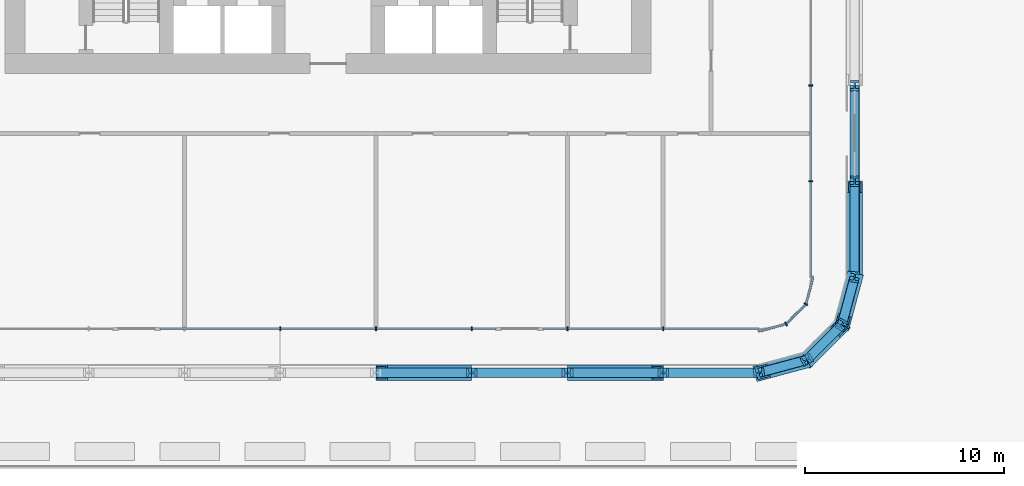
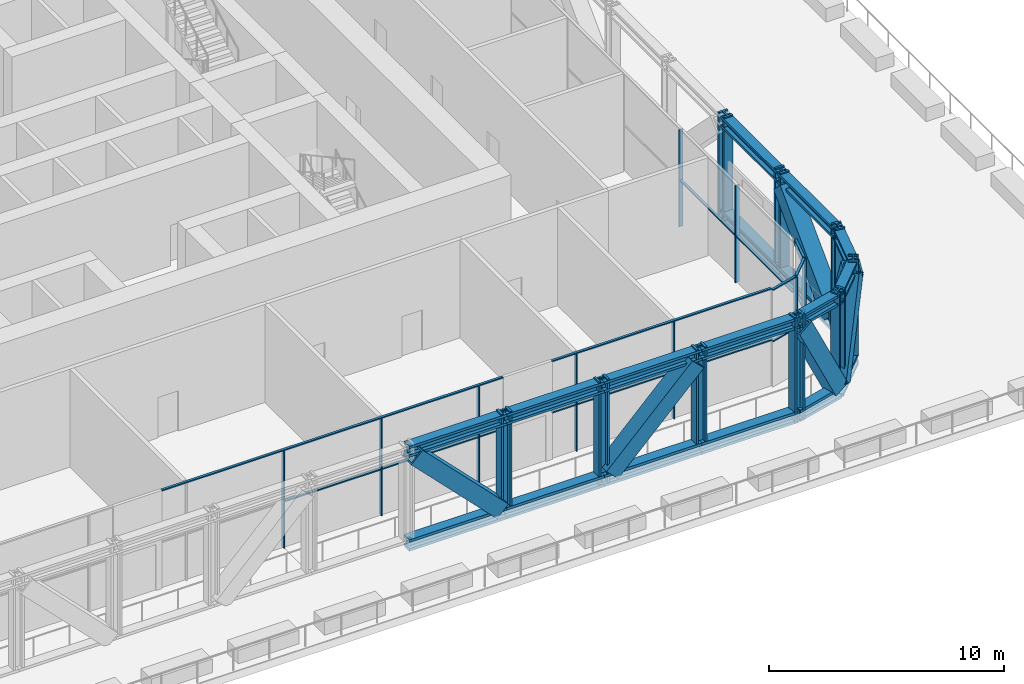
# One storey, part 4 of 22: 58 members, 3 elements without a shape of their own.
"""IFC4 building model written with IfcOpenShell, lengths in metres."""

from ifc_helpers import new_model, si_unit, direction, frame, origin, origin_2d, place, context, subcontext, project, spatial, rectangle, hollow_rectangle, i_section, extrude, material, layer, layer_set, material_profile, profile_set, type_object, element, aggregate, save


model = new_model("IFC4")

# Units and contexts
model_context = context("Model", 3, precision=1e-05, world=origin(), true_north=direction((0.0, 1.0)))
body_context = subcontext(model_context, "Body", "Model", "MODEL_VIEW")
ifc_project = project(units=[si_unit("LENGTHUNIT", "METRE"), si_unit("AREAUNIT", "SQUARE_METRE"), si_unit("VOLUMEUNIT", "CUBIC_METRE"), si_unit("PLANEANGLEUNIT", "RADIAN"), si_unit("MASSUNIT", "GRAM", prefix="KILO")], contexts=[model_context])

# Site, building, storey
site_placement = place(None, origin())
site = spatial("IfcSite", under=ifc_project, at=site_placement, CompositionType="ELEMENT")
building_placement = place(site_placement, origin())
building = spatial("IfcBuilding", under=site, at=building_placement, Name="Madar Terraces", CompositionType="ELEMENT")
storey_placement = place(building_placement, frame((0.0, 0.0, 24.0)))
storey = spatial("IfcBuildingStorey", under=building, at=storey_placement, Name="L05", CompositionType="ELEMENT", Elevation=24.0)

# Members
ifc_material_1 = material(Name="Steel ASTM A913 Grade 65", Category="steel")
ifc_material_profile_1 = material_profile(ifc_material_1, i_section(OverallWidth=0.4775390625, OverallDepth=0.599365234375, WebThickness=0.10009765625, FlangeThickness=0.139892578125, at=origin_2d()), Name="W14x873")
ifc_profile_set_1 = profile_set([ifc_material_profile_1], Name="Steel ASTM A913 Grade 65")
member_type_1 = type_object("IfcMemberType", Name="BC1 W14x873", PredefinedType="CHORD", material=ifc_profile_set_1)
member_1_placement = place(storey_placement, frame((33.60009765625, 0.0, -0.120361328125), z_axis=(1.0, 0.0, 0.0), x_axis=(0.0, 1.0, 0.0)))
element("IfcMember", 1, at=member_1_placement, inside=storey, type_object=member_type_1, Name="Exoskeleton truss ring bottom chord BC1", PredefinedType="CHORD", context=body_context, shape_type="SweptSolid", body=[
    extrude(i_section(OverallWidth=0.4775390625, OverallDepth=0.599365234375, WebThickness=0.10009765625, FlangeThickness=0.139892578125, at=origin_2d()), origin(), (0.0, 0.0, 1.0), 4.7998046875),
])
for number, where, z_axis, x_axis, name in (
    (2, (38.39990234375, 0.0, -0.120361328125), (1.0, 0.0, 0.0), (0.0, 1.0, 0.0), "Exoskeleton truss ring bottom chord BC1"),
    (3, (43.199951171875, 0.0, -0.120361328125), (1.0, 0.0, 0.0), (0.0, 1.0, 0.0), "Exoskeleton truss ring bottom chord BC1"),
    (4, (48.0, 0.0, -0.120361328125), (1.0, 0.0, 0.0), (0.0, 1.0, 0.0), "Exoskeleton truss ring bottom chord BC1"),
):
    element("IfcMember", number, at=place(storey_placement, frame(where, z_axis=z_axis, x_axis=x_axis)), inside=storey, type_object=member_type_1, Name=name, PredefinedType="CHORD", context=body_context, shape_type="SweptSolid", body=[
        extrude(i_section(OverallWidth=0.4775390625, OverallDepth=0.599365234375, WebThickness=0.10009765625, FlangeThickness=0.139892578125, at=origin_2d()), origin(), (0.0, 0.0, 1.0), 4.800048828125),
    ])
for number, where, z_axis, x_axis, name in (
    (5, (52.800048828125, 0.0, -0.120361328125), (0.965924366126, 0.258824494443, 0.0), (-0.258824494443, 0.965924366126, 0.0), "Exoskeleton truss ring bottom chord BC1"),
    (6, (55.199951171875, 0.64306640625, -0.120361328125), (0.707155907999, 0.70705765096, 0.0), (-0.70705765096, 0.707155907999, 0.0), "Exoskeleton truss ring bottom chord BC1"),
):
    element("IfcMember", number, at=place(storey_placement, frame(where, z_axis=z_axis, x_axis=x_axis)), inside=storey, type_object=member_type_1, Name=name, PredefinedType="CHORD", context=body_context, shape_type="SweptSolid", body=[
        extrude(i_section(OverallWidth=0.4775390625, OverallDepth=0.599365234375, WebThickness=0.10009765625, FlangeThickness=0.139892578125, at=origin_2d()), origin(), (0.0, 0.0, 1.0), 2.484619140625),
    ])
member_2_placement = place(storey_placement, frame((56.95703125, 2.39990234375, -0.120361328125), z_axis=(0.258799930484, 0.965930947833, 0.0), x_axis=(-0.965930947833, 0.258799930484, 0.0)))
element("IfcMember", 7, at=member_2_placement, inside=storey, type_object=member_type_1, Name="Exoskeleton truss ring bottom chord BC1", PredefinedType="CHORD", context=body_context, shape_type="SweptSolid", body=[
    extrude(i_section(OverallWidth=0.4775390625, OverallDepth=0.599365234375, WebThickness=0.10009765625, FlangeThickness=0.139892578125, at=origin_2d()), origin(), (0.0, 0.0, 1.0), 2.48486328125),
])
member_3_placement = place(storey_placement, frame((57.60009765625, 4.800048828125, -0.120361328125), z_axis=(0.0, 1.0, 0.0), x_axis=(-1.0, 0.0, 0.0)))
element("IfcMember", 8, at=member_3_placement, inside=storey, type_object=member_type_1, Name="Exoskeleton truss ring bottom chord BC1", PredefinedType="CHORD", context=body_context, shape_type="SweptSolid", body=[
    extrude(i_section(OverallWidth=0.4775390625, OverallDepth=0.599365234375, WebThickness=0.10009765625, FlangeThickness=0.139892578125, at=origin_2d()), origin(), (0.0, 0.0, 1.0), 4.800048828125),
])
member_4_placement = place(storey_placement, frame((57.60009765625, 9.60009765625, -0.120361328125), z_axis=(0.0, 1.0, 0.0), x_axis=(-1.0, 0.0, 0.0)))
element("IfcMember", 9, at=member_4_placement, inside=storey, type_object=member_type_1, Name="Exoskeleton truss ring bottom chord BC1", PredefinedType="CHORD", context=body_context, shape_type="SweptSolid", body=[
    extrude(i_section(OverallWidth=0.4775390625, OverallDepth=0.599365234375, WebThickness=0.10009765625, FlangeThickness=0.139892578125, at=origin_2d()), origin(), (0.0, 0.0, 1.0), 4.7998046875),
])

# Curtain wall, members
ifc_material_2 = material(Name="Glass, ceramic frit dark grey, with black aluminium frame", Category="aluminium")
ifc_layer = layer(ifc_material_2, 0.199951171875)
ifc_layer_set = layer_set([ifc_layer], Name="Facade curtain wall, tall glazing")
curtain_wall_type = type_object("IfcCurtainWallType", Name="Facade curtain wall, tall glazing", PredefinedType="NOTDEFINED", material=ifc_layer_set)
curtain_wall_1_placement = place(storey_placement, origin())
curtain_wall_1 = element("IfcCurtainWall", 10, at=curtain_wall_1_placement, inside=storey, type_object=curtain_wall_type, Name="Outer skin curtain wall south bay 1", PredefinedType="NOTDEFINED")
ifc_material_3 = material(Name="Aluminium, black anodised", Category="aluminium")
ifc_material_profile_2 = material_profile(ifc_material_3, rectangle(XDim=0.199951171875, YDim=0.06005859375, at=origin_2d()), Name="Facade mullion 60x200")
ifc_profile_set_2 = profile_set([ifc_material_profile_2], Name="Aluminium, black anodised")
member_type_2 = type_object("IfcMemberType", Name="Facade mullion 60x200", PredefinedType="MULLION", material=ifc_profile_set_2)
member_5_placement = place(storey_placement, frame((28.800048828125, 2.199951171875, 0.0), z_axis=(0.0, 0.0, 1.0), x_axis=(0.0, 1.0, 0.0)))
member_5 = element("IfcMember", 11, at=member_5_placement, type_object=member_type_2, Name="Mullion 5", PredefinedType="MULLION", context=body_context, shape_type="SweptSolid", body=[
    extrude(rectangle(XDim=0.199951171875, YDim=0.06005859375, at=origin_2d()), origin(), (0.0, 0.0, 1.0), 5.0400390625),
])
member_6_placement = place(storey_placement, frame((33.60009765625, 2.199951171875, 0.0), z_axis=(0.0, 0.0, 1.0), x_axis=(0.0, 1.0, 0.0)))
member_6 = element("IfcMember", 12, at=member_6_placement, type_object=member_type_2, Name="Mullion 6", PredefinedType="MULLION", context=body_context, shape_type="SweptSolid", body=[
    extrude(rectangle(XDim=0.199951171875, YDim=0.06005859375, at=origin_2d()), origin(), (0.0, 0.0, 1.0), 5.0400390625),
])
member_7_placement = place(storey_placement, frame((38.39990234375, 2.199951171875, 0.0), z_axis=(0.0, 0.0, 1.0), x_axis=(0.0, 1.0, 0.0)))
member_7 = element("IfcMember", 13, at=member_7_placement, type_object=member_type_2, Name="Mullion 7", PredefinedType="MULLION", context=body_context, shape_type="SweptSolid", body=[
    extrude(rectangle(XDim=0.199951171875, YDim=0.06005859375, at=origin_2d()), origin(), (0.0, 0.0, 1.0), 5.0400390625),
])
member_8_placement = place(storey_placement, frame((43.199951171875, 2.199951171875, 0.0), z_axis=(0.0, 0.0, 1.0), x_axis=(0.0, 1.0, 0.0)))
member_8 = element("IfcMember", 14, at=member_8_placement, type_object=member_type_2, Name="Mullion 8", PredefinedType="MULLION", context=body_context, shape_type="SweptSolid", body=[
    extrude(rectangle(XDim=0.199951171875, YDim=0.06005859375, at=origin_2d()), origin(), (0.0, 0.0, 1.0), 5.0400390625),
])
member_9_placement = place(storey_placement, frame((48.0, 2.199951171875, 0.0), z_axis=(0.0, 0.0, 1.0), x_axis=(0.0, 1.0, 0.0)))
member_9 = element("IfcMember", 15, at=member_9_placement, type_object=member_type_2, Name="Mullion 9", PredefinedType="MULLION", context=body_context, shape_type="SweptSolid", body=[
    extrude(rectangle(XDim=0.199951171875, YDim=0.06005859375, at=origin_2d()), origin(), (0.0, 0.0, 1.0), 5.0400390625),
])

curtain_wall_2_placement = place(storey_placement, origin())
curtain_wall_2 = element("IfcCurtainWall", 16, at=curtain_wall_2_placement, inside=storey, type_object=curtain_wall_type, Name="Outer skin curtain wall east bay 1", PredefinedType="NOTDEFINED")
member_10_placement = place(storey_placement, frame((55.39990234375, 9.60009765625, 0.0), z_axis=(0.0, 0.0, 1.0), x_axis=(-1.0, 0.0, 0.0)))
member_10 = element("IfcMember", 17, at=member_10_placement, type_object=member_type_2, Name="Mullion 1", PredefinedType="MULLION", context=body_context, shape_type="SweptSolid", body=[
    extrude(rectangle(XDim=0.199951171875, YDim=0.06005859375, at=origin_2d()), origin(), (0.0, 0.0, 1.0), 5.0400390625),
])
member_11_placement = place(storey_placement, frame((55.39990234375, 14.39990234375, 0.0), z_axis=(0.0, 0.0, 1.0), x_axis=(-1.0, 0.0, 0.0)))
member_11 = element("IfcMember", 18, at=member_11_placement, type_object=member_type_2, Name="Mullion 2", PredefinedType="MULLION", context=body_context, shape_type="SweptSolid", body=[
    extrude(rectangle(XDim=0.199951171875, YDim=0.06005859375, at=origin_2d()), origin(), (0.0, 0.0, 1.0), 5.0400390625),
])

curtain_wall_3_placement = place(storey_placement, origin())
curtain_wall_3 = element("IfcCurtainWall", 19, at=curtain_wall_3_placement, inside=storey, type_object=curtain_wall_type, Name="Outer skin curtain wall south-east corner", PredefinedType="NOTDEFINED")
member_12_placement = place(storey_placement, frame((54.159912109375, 2.4443359375, 0.0), z_axis=(0.0, 0.0, 1.0), x_axis=(-0.500000029202, 0.866025386925, 0.0)))
member_12 = element("IfcMember", 20, at=member_12_placement, type_object=member_type_2, Name="Mullion 1", PredefinedType="MULLION", context=body_context, shape_type="SweptSolid", body=[
    extrude(rectangle(XDim=0.199951171875, YDim=0.06005859375, at=origin_2d()), origin(), (0.0, 0.0, 1.0), 5.0400390625),
])
member_13_placement = place(storey_placement, frame((55.155517578125, 3.43994140625, 0.0), z_axis=(0.0, 0.0, 1.0), x_axis=(-0.866025386925, 0.500000029202, 0.0)))
member_13 = element("IfcMember", 21, at=member_13_placement, type_object=member_type_2, Name="Mullion 2", PredefinedType="MULLION", context=body_context, shape_type="SweptSolid", body=[
    extrude(rectangle(XDim=0.199951171875, YDim=0.06005859375, at=origin_2d()), origin(), (0.0, 0.0, 1.0), 5.0400390625),
])

# Member
ifc_material_4 = material(Name="Aluminium, black anodised", Category="aluminium")
ifc_material_profile_3 = material_profile(ifc_material_4, rectangle(XDim=0.1201171875, YDim=0.06005859375, at=origin_2d()), Name="Facade transom 60x120")
ifc_profile_set_3 = profile_set([ifc_material_profile_3], Name="Aluminium, black anodised")
member_type_3 = type_object("IfcMemberType", Name="Facade transom 60x120", PredefinedType="USERDEFINED", material=ifc_profile_set_3)
member_14_placement = place(storey_placement, frame((22.800048828125, 2.199951171875, 5.070068359375), z_axis=(1.0, 0.0, 0.0), x_axis=(0.0, 1.0, 0.0)))
member_14 = element("IfcMember", 22, at=member_14_placement, type_object=member_type_3, Name="Transom 6", ObjectType="TRANSOM", PredefinedType="USERDEFINED", context=body_context, shape_type="SweptSolid", body=[
    extrude(rectangle(XDim=0.1201171875, YDim=0.06005859375, at=origin_2d()), origin(), (0.0, 0.0, 1.0), 16.800048828125),
])

member_15_placement = place(storey_placement, frame((28.830078125, 2.199951171875, 2.39990234375), z_axis=(1.0, 0.0, 0.0), x_axis=(0.0, 1.0, 0.0)))
member_15 = element("IfcMember", 23, at=member_15_placement, type_object=member_type_3, Name="Transom 9", ObjectType="TRANSOM", PredefinedType="USERDEFINED", context=body_context, shape_type="SweptSolid", body=[
    extrude(rectangle(XDim=0.1201171875, YDim=0.06005859375, at=origin_2d()), origin(), (0.0, 0.0, 1.0), 4.739990234375),
])

member_16_placement = place(storey_placement, frame((33.6298828125, 2.199951171875, 2.39990234375), z_axis=(1.0, 0.0, 0.0), x_axis=(0.0, 1.0, 0.0)))
member_16 = element("IfcMember", 24, at=member_16_placement, type_object=member_type_3, Name="Transom 10", ObjectType="TRANSOM", PredefinedType="USERDEFINED", context=body_context, shape_type="SweptSolid", body=[
    extrude(rectangle(XDim=0.1201171875, YDim=0.06005859375, at=origin_2d()), origin(), (0.0, 0.0, 1.0), 4.740234375),
])

member_17_placement = place(storey_placement, frame((38.429931640625, 2.199951171875, 2.39990234375), z_axis=(1.0, 0.0, 0.0), x_axis=(0.0, 1.0, 0.0)))
member_17 = element("IfcMember", 25, at=member_17_placement, type_object=member_type_3, Name="Transom 11", ObjectType="TRANSOM", PredefinedType="USERDEFINED", context=body_context, shape_type="SweptSolid", body=[
    extrude(rectangle(XDim=0.1201171875, YDim=0.06005859375, at=origin_2d()), origin(), (0.0, 0.0, 1.0), 1.170166015625),
])

member_18_placement = place(storey_placement, frame((42.0, 2.199951171875, 5.070068359375), z_axis=(1.0, 0.0, 0.0), x_axis=(0.0, 1.0, 0.0)))
member_18 = element("IfcMember", 26, at=member_18_placement, type_object=member_type_3, Name="Transom 12", ObjectType="TRANSOM", PredefinedType="USERDEFINED", context=body_context, shape_type="SweptSolid", body=[
    extrude(rectangle(XDim=0.1201171875, YDim=0.06005859375, at=origin_2d()), origin(), (0.0, 0.0, 1.0), 10.800048828125),
])

member_19_placement = place(storey_placement, frame((42.0, 2.199951171875, 2.39990234375), z_axis=(1.0, 0.0, 0.0), x_axis=(0.0, 1.0, 0.0)))
member_19 = element("IfcMember", 27, at=member_19_placement, type_object=member_type_3, Name="Transom 13", ObjectType="TRANSOM", PredefinedType="USERDEFINED", context=body_context, shape_type="SweptSolid", body=[
    extrude(rectangle(XDim=0.1201171875, YDim=0.06005859375, at=origin_2d()), origin(), (0.0, 0.0, 1.0), 1.169921875),
])

member_20_placement = place(storey_placement, frame((43.22998046875, 2.199951171875, 2.39990234375), z_axis=(1.0, 0.0, 0.0), x_axis=(0.0, 1.0, 0.0)))
member_20 = element("IfcMember", 28, at=member_20_placement, type_object=member_type_3, Name="Transom 14", ObjectType="TRANSOM", PredefinedType="USERDEFINED", context=body_context, shape_type="SweptSolid", body=[
    extrude(rectangle(XDim=0.1201171875, YDim=0.06005859375, at=origin_2d()), origin(), (0.0, 0.0, 1.0), 4.739990234375),
])

member_21_placement = place(storey_placement, frame((48.030029296875, 2.199951171875, 2.39990234375), z_axis=(1.0, 0.0, 0.0), x_axis=(0.0, 1.0, 0.0)))
member_21 = element("IfcMember", 29, at=member_21_placement, type_object=member_type_3, Name="Transom 15", ObjectType="TRANSOM", PredefinedType="USERDEFINED", context=body_context, shape_type="SweptSolid", body=[
    extrude(rectangle(XDim=0.1201171875, YDim=0.06005859375, at=origin_2d()), origin(), (0.0, 0.0, 1.0), 4.77001953125),
])

aggregate(curtain_wall_1, [member_5, member_6, member_7, member_14, member_15, member_16, member_17, member_8, member_9, member_18, member_19, member_20, member_21])

member_22_placement = place(storey_placement, frame((55.39990234375, 4.800048828125, 2.39990234375), z_axis=(0.0, 1.0, 0.0), x_axis=(-1.0, 0.0, 0.0)))
member_22 = element("IfcMember", 30, at=member_22_placement, type_object=member_type_3, Name="Transom 2", ObjectType="TRANSOM", PredefinedType="USERDEFINED", context=body_context, shape_type="SweptSolid", body=[
    extrude(rectangle(XDim=0.1201171875, YDim=0.06005859375, at=origin_2d()), origin(), (0.0, 0.0, 1.0), 4.77001953125),
])

member_23_placement = place(storey_placement, frame((55.39990234375, 9.6298828125, 2.39990234375), z_axis=(0.0, 1.0, 0.0), x_axis=(-1.0, 0.0, 0.0)))
member_23 = element("IfcMember", 31, at=member_23_placement, type_object=member_type_3, Name="Transom 3", ObjectType="TRANSOM", PredefinedType="USERDEFINED", context=body_context, shape_type="SweptSolid", body=[
    extrude(rectangle(XDim=0.1201171875, YDim=0.06005859375, at=origin_2d()), origin(), (0.0, 0.0, 1.0), 4.740234375),
])

aggregate(curtain_wall_2, [member_10, member_11, member_22, member_23])

member_24_placement = place(storey_placement, frame((52.800048828125, 2.080078125, 5.070068359375), z_axis=(0.965919580711, 0.258842352791, 0.0), x_axis=(-0.258842352791, 0.965919580711, 0.0)))
member_24 = element("IfcMember", 32, at=member_24_placement, type_object=member_type_3, Name="Transom 1", ObjectType="TRANSOM", PredefinedType="USERDEFINED", context=body_context, shape_type="SweptSolid", body=[
    extrude(rectangle(XDim=0.1201171875, YDim=0.06005859375, at=origin_2d()), origin(), (0.0, 0.0, 1.0), 1.3779296875),
])

member_25_placement = place(storey_placement, frame((52.800048828125, 2.080078125, 2.39990234375), z_axis=(0.965919580711, 0.258842352791, 0.0), x_axis=(-0.258842352791, 0.965919580711, 0.0)))
member_25 = element("IfcMember", 33, at=member_25_placement, type_object=member_type_3, Name="Transom 2", ObjectType="TRANSOM", PredefinedType="USERDEFINED", context=body_context, shape_type="SweptSolid", body=[
    extrude(rectangle(XDim=0.1201171875, YDim=0.06005859375, at=origin_2d()), origin(), (0.0, 0.0, 1.0), 1.3779296875),
])

member_26_placement = place(storey_placement, frame((54.18115234375, 2.465576171875, 5.070068359375), z_axis=(0.707106781187, 0.707106781187, 0.0), x_axis=(-0.707106781187, 0.707106781187, 0.0)))
member_26 = element("IfcMember", 34, at=member_26_placement, type_object=member_type_3, Name="Transom 3", ObjectType="TRANSOM", PredefinedType="USERDEFINED", context=body_context, shape_type="SweptSolid", body=[
    extrude(rectangle(XDim=0.1201171875, YDim=0.06005859375, at=origin_2d()), origin(), (0.0, 0.0, 1.0), 1.347900390625),
])

member_27_placement = place(storey_placement, frame((54.18115234375, 2.465576171875, 2.39990234375), z_axis=(0.707106781187, 0.707106781187, 0.0), x_axis=(-0.707106781187, 0.707106781187, 0.0)))
member_27 = element("IfcMember", 35, at=member_27_placement, type_object=member_type_3, Name="Transom 4", ObjectType="TRANSOM", PredefinedType="USERDEFINED", context=body_context, shape_type="SweptSolid", body=[
    extrude(rectangle(XDim=0.1201171875, YDim=0.06005859375, at=origin_2d()), origin(), (0.0, 0.0, 1.0), 1.347900390625),
])

member_28_placement = place(storey_placement, frame((55.163330078125, 3.468994140625, 5.070068359375), z_axis=(0.258842352791, 0.965919580711, 0.0), x_axis=(-0.965919580711, 0.258842352791, 0.0)))
member_28 = element("IfcMember", 36, at=member_28_placement, type_object=member_type_3, Name="Transom 5", ObjectType="TRANSOM", PredefinedType="USERDEFINED", context=body_context, shape_type="SweptSolid", body=[
    extrude(rectangle(XDim=0.1201171875, YDim=0.06005859375, at=origin_2d()), origin(), (0.0, 0.0, 1.0), 1.3779296875),
])

member_29_placement = place(storey_placement, frame((55.163330078125, 3.468994140625, 2.39990234375), z_axis=(0.258842352791, 0.965919580711, 0.0), x_axis=(-0.965919580711, 0.258842352791, 0.0)))
member_29 = element("IfcMember", 37, at=member_29_placement, type_object=member_type_3, Name="Transom 6", ObjectType="TRANSOM", PredefinedType="USERDEFINED", context=body_context, shape_type="SweptSolid", body=[
    extrude(rectangle(XDim=0.1201171875, YDim=0.06005859375, at=origin_2d()), origin(), (0.0, 0.0, 1.0), 1.3779296875),
])

aggregate(curtain_wall_3, [member_12, member_24, member_25, member_13, member_26, member_27, member_28, member_29])

# Members
ifc_material_5 = material(Name="Steel ASTM A913 Grade 65", Category="steel")
ifc_material_profile_4 = material_profile(ifc_material_5, i_section(OverallWidth=0.45458984375, OverallDepth=0.56884765625, WebThickness=0.077880859375, FlangeThickness=0.124755859375, at=origin_2d()), Name="W14x730")
ifc_profile_set_4 = profile_set([ifc_material_profile_4], Name="Steel ASTM A913 Grade 65")
member_type_4 = type_object("IfcMemberType", Name="TC1 W14x730", PredefinedType="CHORD", material=ifc_profile_set_4)
member_30_placement = place(storey_placement, frame((33.60009765625, 0.0, 4.74560546875), z_axis=(1.0, 0.0, 0.0), x_axis=(0.0, 1.0, 0.0)))
element("IfcMember", 38, at=member_30_placement, inside=storey, type_object=member_type_4, Name="Exoskeleton truss ring top chord TC1", PredefinedType="CHORD", context=body_context, shape_type="SweptSolid", body=[
    extrude(i_section(OverallWidth=0.45458984375, OverallDepth=0.56884765625, WebThickness=0.077880859375, FlangeThickness=0.124755859375, at=origin_2d()), origin(), (0.0, 0.0, 1.0), 4.7998046875),
])
for number, where, z_axis, x_axis, name in (
    (39, (38.39990234375, 0.0, 4.74560546875), (1.0, 0.0, 0.0), (0.0, 1.0, 0.0), "Exoskeleton truss ring top chord TC1"),
    (40, (43.199951171875, 0.0, 4.74560546875), (1.0, 0.0, 0.0), (0.0, 1.0, 0.0), "Exoskeleton truss ring top chord TC1"),
    (41, (48.0, 0.0, 4.74560546875), (1.0, 0.0, 0.0), (0.0, 1.0, 0.0), "Exoskeleton truss ring top chord TC1"),
):
    element("IfcMember", number, at=place(storey_placement, frame(where, z_axis=z_axis, x_axis=x_axis)), inside=storey, type_object=member_type_4, Name=name, PredefinedType="CHORD", context=body_context, shape_type="SweptSolid", body=[
        extrude(i_section(OverallWidth=0.45458984375, OverallDepth=0.56884765625, WebThickness=0.077880859375, FlangeThickness=0.124755859375, at=origin_2d()), origin(), (0.0, 0.0, 1.0), 4.800048828125),
    ])
for number, where, z_axis, x_axis, name in (
    (42, (52.800048828125, 0.0, 4.74560546875), (0.965924366126, 0.258824494443, 0.0), (-0.258824494443, 0.965924366126, 0.0), "Exoskeleton truss ring top chord TC1"),
    (43, (55.199951171875, 0.64306640625, 4.74560546875), (0.707155907999, 0.70705765096, 0.0), (-0.70705765096, 0.707155907999, 0.0), "Exoskeleton truss ring top chord TC1"),
):
    element("IfcMember", number, at=place(storey_placement, frame(where, z_axis=z_axis, x_axis=x_axis)), inside=storey, type_object=member_type_4, Name=name, PredefinedType="CHORD", context=body_context, shape_type="SweptSolid", body=[
        extrude(i_section(OverallWidth=0.45458984375, OverallDepth=0.56884765625, WebThickness=0.077880859375, FlangeThickness=0.124755859375, at=origin_2d()), origin(), (0.0, 0.0, 1.0), 2.484619140625),
    ])
member_31_placement = place(storey_placement, frame((56.95703125, 2.39990234375, 4.74560546875), z_axis=(0.258799930484, 0.965930947833, 0.0), x_axis=(-0.965930947833, 0.258799930484, 0.0)))
element("IfcMember", 44, at=member_31_placement, inside=storey, type_object=member_type_4, Name="Exoskeleton truss ring top chord TC1", PredefinedType="CHORD", context=body_context, shape_type="SweptSolid", body=[
    extrude(i_section(OverallWidth=0.45458984375, OverallDepth=0.56884765625, WebThickness=0.077880859375, FlangeThickness=0.124755859375, at=origin_2d()), origin(), (0.0, 0.0, 1.0), 2.48486328125),
])
member_32_placement = place(storey_placement, frame((57.60009765625, 4.800048828125, 4.74560546875), z_axis=(0.0, 1.0, 0.0), x_axis=(-1.0, 0.0, 0.0)))
element("IfcMember", 45, at=member_32_placement, inside=storey, type_object=member_type_4, Name="Exoskeleton truss ring top chord TC1", PredefinedType="CHORD", context=body_context, shape_type="SweptSolid", body=[
    extrude(i_section(OverallWidth=0.45458984375, OverallDepth=0.56884765625, WebThickness=0.077880859375, FlangeThickness=0.124755859375, at=origin_2d()), origin(), (0.0, 0.0, 1.0), 4.800048828125),
])
member_33_placement = place(storey_placement, frame((57.60009765625, 9.60009765625, 4.74560546875), z_axis=(0.0, 1.0, 0.0), x_axis=(-1.0, 0.0, 0.0)))
element("IfcMember", 46, at=member_33_placement, inside=storey, type_object=member_type_4, Name="Exoskeleton truss ring top chord TC1", PredefinedType="CHORD", context=body_context, shape_type="SweptSolid", body=[
    extrude(i_section(OverallWidth=0.45458984375, OverallDepth=0.56884765625, WebThickness=0.077880859375, FlangeThickness=0.124755859375, at=origin_2d()), origin(), (0.0, 0.0, 1.0), 4.7998046875),
])
ifc_material_6 = material(Name="Steel ASTM A572 Grade 50", Category="steel")
ifc_material_profile_5 = material_profile(ifc_material_6, hollow_rectangle(XDim=0.800048828125, YDim=0.800048828125, WallThickness=0.080078125, at=origin_2d()), Name="BOX800x800x80")
ifc_profile_set_5 = profile_set([ifc_material_profile_5], Name="Steel ASTM A572 Grade 50")
member_type_5 = type_object("IfcMemberType", Name="TD1 BOX800x800x80", PredefinedType="BRACE", material=ifc_profile_set_5)
member_34_placement = place(storey_placement, frame((33.880615234375, 0.0, 4.4609375), z_axis=(0.702280003428, 0.0, -0.711900833533), x_axis=(0.0, 1.0, 0.0)))
element("IfcMember", 47, at=member_34_placement, inside=storey, type_object=member_type_5, Name="Exoskeleton truss ring diagonal TD1", PredefinedType="BRACE", context=body_context, shape_type="SweptSolid", body=[
    extrude(hollow_rectangle(XDim=0.800048828125, YDim=0.800048828125, WallThickness=0.080078125, at=origin_2d()), origin(), (0.0, 0.0, 1.0), 6.01416015625),
])
member_35_placement = place(storey_placement, frame((43.49560546875, 0.0, 0.179443359375), z_axis=(0.702300575813, 0.0, 0.711880538583), x_axis=(0.0, 1.0, 0.0)))
element("IfcMember", 48, at=member_35_placement, inside=storey, type_object=member_type_5, Name="Exoskeleton truss ring diagonal TD1", PredefinedType="BRACE", context=body_context, shape_type="SweptSolid", body=[
    extrude(hollow_rectangle(XDim=0.800048828125, YDim=0.800048828125, WallThickness=0.080078125, at=origin_2d()), origin(), (0.0, 0.0, 1.0), 6.014404296875),
])
member_36_placement = place(storey_placement, frame((52.9404296875, 0.03759765625, 4.4609375), z_axis=(0.439283295045, 0.117717766233, -0.890602444533), x_axis=(-0.258843996214, 0.965919140314, 0.0)))
element("IfcMember", 49, at=member_36_placement, inside=storey, type_object=member_type_5, Name="Exoskeleton truss ring diagonal TD1", PredefinedType="BRACE", context=body_context, shape_type="SweptSolid", body=[
    extrude(hollow_rectangle(XDim=0.800048828125, YDim=0.800048828125, WallThickness=0.080078125, at=origin_2d()), origin(), (0.0, 0.0, 1.0), 4.807373046875),
])
member_37_placement = place(storey_placement, frame((55.30810546875, 0.751220703125, 0.179443359375), z_axis=(0.321608784268, 0.321608784268, 0.890581596353), x_axis=(-0.707106781187, 0.707106781187, 0.0)))
element("IfcMember", 50, at=member_37_placement, inside=storey, type_object=member_type_5, Name="Exoskeleton truss ring diagonal TD1", PredefinedType="BRACE", context=body_context, shape_type="SweptSolid", body=[
    extrude(hollow_rectangle(XDim=0.800048828125, YDim=0.800048828125, WallThickness=0.080078125, at=origin_2d()), origin(), (0.0, 0.0, 1.0), 4.8076171875),
])
member_38_placement = place(storey_placement, frame((56.99462890625, 2.540283203125, 4.4609375), z_axis=(0.117667685329, 0.439285920627, -0.890607767633), x_axis=(-0.965947054738, 0.258739806454, 0.0)))
element("IfcMember", 51, at=member_38_placement, inside=storey, type_object=member_type_5, Name="Exoskeleton truss ring diagonal TD1", PredefinedType="BRACE", context=body_context, shape_type="SweptSolid", body=[
    extrude(hollow_rectangle(XDim=0.800048828125, YDim=0.800048828125, WallThickness=0.080078125, at=origin_2d()), origin(), (0.0, 0.0, 1.0), 4.807373046875),
])
member_39_placement = place(storey_placement, frame((57.60009765625, 5.095703125, 0.179443359375), z_axis=(0.0, 0.702280003428, 0.711900833533), x_axis=(-1.0, 0.0, 0.0)))
element("IfcMember", 52, at=member_39_placement, inside=storey, type_object=member_type_5, Name="Exoskeleton truss ring diagonal TD1", PredefinedType="BRACE", context=body_context, shape_type="SweptSolid", body=[
    extrude(hollow_rectangle(XDim=0.800048828125, YDim=0.800048828125, WallThickness=0.080078125, at=origin_2d()), origin(), (0.0, 0.0, 1.0), 6.01416015625),
])
ifc_material_7 = material(Name="Steel ASTM A913 Grade 65", Category="steel")
ifc_material_profile_6 = material_profile(ifc_material_7, i_section(OverallWidth=0.44189453125, OverallDepth=0.53076171875, WebThickness=0.06591796875, FlangeThickness=0.105712890625, at=origin_2d()), Name="W14x605")
ifc_profile_set_6 = profile_set([ifc_material_profile_6], Name="Steel ASTM A913 Grade 65")
member_type_6 = type_object("IfcMemberType", Name="TV1 W14x605", PredefinedType="POST", material=ifc_profile_set_6)
member_40_placement = place(storey_placement, frame((38.39990234375, 0.0, 0.179443359375), z_axis=(0.0, 0.0, 1.0), x_axis=(0.0, 1.0, 0.0)))
element("IfcMember", 53, at=member_40_placement, inside=storey, type_object=member_type_6, Name="Exoskeleton truss ring post TV1", PredefinedType="POST", context=body_context, shape_type="SweptSolid", body=[
    extrude(i_section(OverallWidth=0.44189453125, OverallDepth=0.53076171875, WebThickness=0.06591796875, FlangeThickness=0.105712890625, at=origin_2d()), origin(), (0.0, 0.0, 1.0), 4.920654296875),
])
member_41_placement = place(storey_placement, frame((43.199951171875, 0.0, -0.419921875), z_axis=(0.0, 0.0, 1.0), x_axis=(0.0, 1.0, 0.0)))
element("IfcMember", 54, at=member_41_placement, inside=storey, type_object=member_type_6, Name="Exoskeleton truss ring post TV1", PredefinedType="POST", context=body_context, shape_type="SweptSolid", body=[
    extrude(i_section(OverallWidth=0.44189453125, OverallDepth=0.53076171875, WebThickness=0.06591796875, FlangeThickness=0.105712890625, at=origin_2d()), origin(), (0.0, 0.0, 1.0), 5.52001953125),
])
member_42_placement = place(storey_placement, frame((48.0, 0.0, 0.179443359375), z_axis=(0.0, 0.0, 1.0), x_axis=(0.0, 1.0, 0.0)))
element("IfcMember", 55, at=member_42_placement, inside=storey, type_object=member_type_6, Name="Exoskeleton truss ring post TV1", PredefinedType="POST", context=body_context, shape_type="SweptSolid", body=[
    extrude(i_section(OverallWidth=0.44189453125, OverallDepth=0.53076171875, WebThickness=0.06591796875, FlangeThickness=0.105712890625, at=origin_2d()), origin(), (0.0, 0.0, 1.0), 4.920654296875),
])
member_43_placement = place(storey_placement, frame((52.800048828125, 0.0, -0.419921875), z_axis=(0.0, 0.0, 1.0), x_axis=(-0.130526174916, 0.991444863652, 0.0)))
element("IfcMember", 56, at=member_43_placement, inside=storey, type_object=member_type_6, Name="Exoskeleton truss ring post TV1", PredefinedType="POST", context=body_context, shape_type="SweptSolid", body=[
    extrude(i_section(OverallWidth=0.44189453125, OverallDepth=0.53076171875, WebThickness=0.06591796875, FlangeThickness=0.105712890625, at=origin_2d()), origin(), (0.0, 0.0, 1.0), 5.52001953125),
])
for number, where, z_axis, x_axis, name in (
    (57, (55.199951171875, 0.64306640625, 0.179443359375), (0.0, 0.0, 1.0), (-0.499999984885, 0.866025412511, 0.0), "Exoskeleton truss ring post TV1"),
    (58, (56.95703125, 2.39990234375, 0.179443359375), (0.0, 0.0, 1.0), (-0.866025412511, 0.499999984885, 0.0), "Exoskeleton truss ring post TV1"),
):
    element("IfcMember", number, at=place(storey_placement, frame(where, z_axis=z_axis, x_axis=x_axis)), inside=storey, type_object=member_type_6, Name=name, PredefinedType="POST", context=body_context, shape_type="SweptSolid", body=[
        extrude(i_section(OverallWidth=0.44189453125, OverallDepth=0.53076171875, WebThickness=0.06591796875, FlangeThickness=0.105712890625, at=origin_2d()), origin(), (0.0, 0.0, 1.0), 4.920654296875),
    ])
member_44_placement = place(storey_placement, frame((57.60009765625, 4.800048828125, -0.419921875), z_axis=(0.0, 0.0, 1.0), x_axis=(-0.991444863652, 0.130526174916, 0.0)))
element("IfcMember", 59, at=member_44_placement, inside=storey, type_object=member_type_6, Name="Exoskeleton truss ring post TV1", PredefinedType="POST", context=body_context, shape_type="SweptSolid", body=[
    extrude(i_section(OverallWidth=0.44189453125, OverallDepth=0.53076171875, WebThickness=0.06591796875, FlangeThickness=0.105712890625, at=origin_2d()), origin(), (0.0, 0.0, 1.0), 5.52001953125),
])
member_45_placement = place(storey_placement, frame((57.60009765625, 9.60009765625, 0.179443359375), z_axis=(0.0, 0.0, 1.0), x_axis=(-1.0, 0.0, 0.0)))
element("IfcMember", 60, at=member_45_placement, inside=storey, type_object=member_type_6, Name="Exoskeleton truss ring post TV1", PredefinedType="POST", context=body_context, shape_type="SweptSolid", body=[
    extrude(i_section(OverallWidth=0.44189453125, OverallDepth=0.53076171875, WebThickness=0.06591796875, FlangeThickness=0.105712890625, at=origin_2d()), origin(), (0.0, 0.0, 1.0), 4.920654296875),
])
member_46_placement = place(storey_placement, frame((57.60009765625, 14.39990234375, -0.419921875), z_axis=(0.0, 0.0, 1.0), x_axis=(-1.0, 0.0, 0.0)))
element("IfcMember", 61, at=member_46_placement, inside=storey, type_object=member_type_6, Name="Exoskeleton truss ring post TV1", PredefinedType="POST", context=body_context, shape_type="SweptSolid", body=[
    extrude(i_section(OverallWidth=0.44189453125, OverallDepth=0.53076171875, WebThickness=0.06591796875, FlangeThickness=0.105712890625, at=origin_2d()), origin(), (0.0, 0.0, 1.0), 5.52001953125),
])

save(model, "model.ifc")
